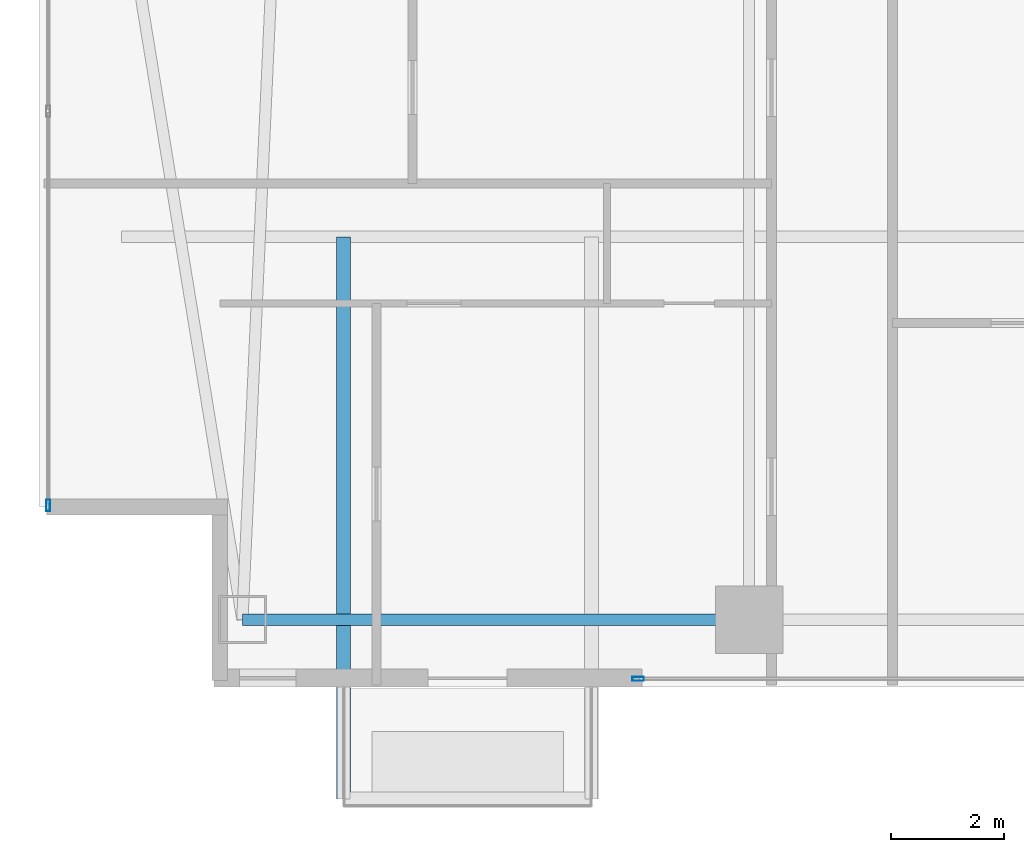
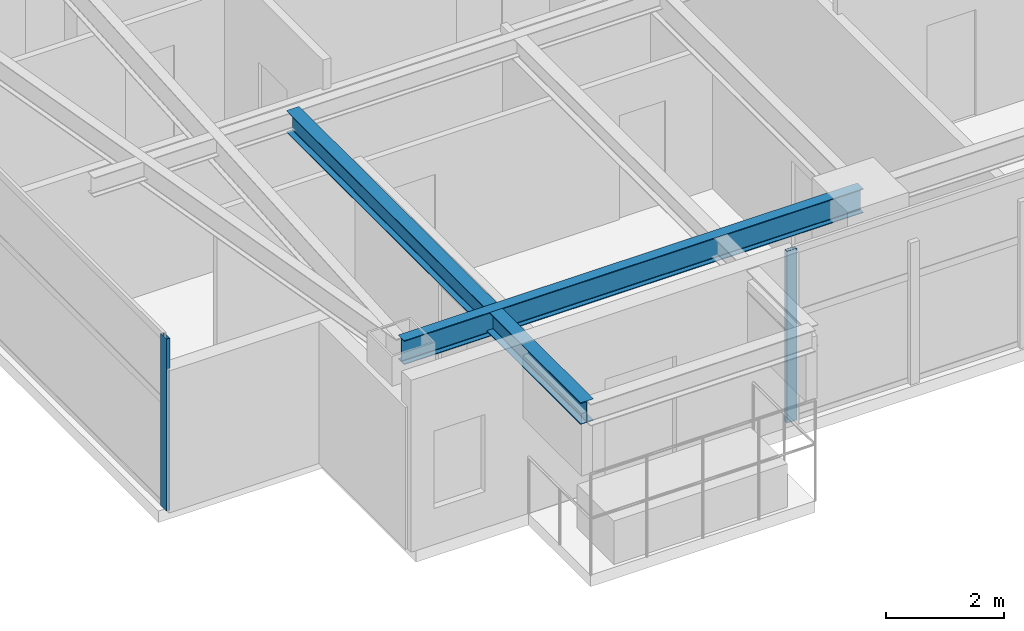
# One storey, part 2 of 29: 2 beams, 2 members, 2 elements without a shape of their own.
"""IFC4 building model written with IfcOpenShell, lengths in metres."""

import ifcopenshell
import ifcopenshell.guid

model = None  # the IFC model being written
_history = None  # IfcOwnerHistory: only IFC2X3 demands one
_inside = {}  # id of a spatial element -> (the spatial element, [elements in it])
_under = {}  # id of a project, library or spatial element -> (it, [spatial elements below it])
_declared = {}  # id of a project -> (the project, [libraries it declares])
_typed = {}  # id of a type object -> (the type object, [elements of that type])
_made_of = {}  # id of a material, layer set ... -> (it, [elements and type objects made of it])


def new_model(schema):
    """Start an empty IFC model of exactly this schema.

    Asked for "IFC4X3", IfcOpenShell would pick the latest addendum, in which some entities
    have other attributes; the version numbers below select the first issue.
    IFC2X3 requires an IfcOwnerHistory on every rooted entity: one is made here for all.
    """
    global model, _history
    if schema == "IFC4X3":
        model = ifcopenshell.file(schema_version=(4, 3, 0, 0))
    else:
        model = ifcopenshell.file(schema=schema)
    _inside.clear()
    _under.clear()
    _declared.clear()
    _typed.clear()
    _made_of.clear()
    _history = None
    if model.schema == "IFC2X3":
        org = make("IfcOrganization", Name="unknown")
        user = make(
            "IfcPersonAndOrganization",
            ThePerson=make("IfcPerson", FamilyName="unknown"),
            TheOrganization=org,
        )
        app = make(
            "IfcApplication",
            ApplicationDeveloper=org,
            Version="unknown",
            ApplicationFullName="unknown",
            ApplicationIdentifier="unknown",
        )
        _history = make(
            "IfcOwnerHistory",
            OwningUser=user,
            OwningApplication=app,
            ChangeAction="ADDED",
            CreationDate=0,
        )
    return model


def make(cls, **values):
    """One entity of the class cls with the attributes given. An attribute that is None is left unset."""
    return model.create_entity(
        cls, **{name: value for name, value in values.items() if value is not None}
    )


def rooted(cls, **values):
    """An entity with a GlobalId (a new one), such as an element, a storey or a relation."""
    return make(cls, GlobalId=ifcopenshell.guid.new(), OwnerHistory=_history, **values)


def si_unit(unit_type, name, prefix=None):
    """IfcSIUnit, for example si_unit("LENGTHUNIT", "METRE", prefix="MILLI")."""
    return make("IfcSIUnit", UnitType=unit_type, Prefix=prefix, Name=name)


def assignment(units):
    """IfcUnitAssignment: the units of a project."""
    return None if units is None else make("IfcUnitAssignment", Units=units)


def point(xyz):
    """IfcCartesianPoint."""
    return None if xyz is None else make("IfcCartesianPoint", Coordinates=xyz)


def direction(xyz):
    """IfcDirection."""
    return None if xyz is None else make("IfcDirection", DirectionRatios=xyz)


def frame(location, z_axis=None, x_axis=None):
    """IfcAxis2Placement3D, a coordinate frame: its origin and axes. An axis left out is left unset."""
    return make(
        "IfcAxis2Placement3D",
        Location=point(location),
        Axis=direction(z_axis),
        RefDirection=direction(x_axis),
    )


def frame_2d(location, x_axis=None):
    """IfcAxis2Placement2D, a coordinate frame in the plane: its origin and x axis."""
    return make(
        "IfcAxis2Placement2D", Location=point(location), RefDirection=direction(x_axis)
    )


def origin():
    """The frame at (0, 0, 0) with its axes left unset."""
    return frame((0.0, 0.0, 0.0))


def origin_2d():
    """The frame at (0, 0) in the plane with its x axis left unset."""
    return frame_2d((0.0, 0.0))


def place(relative_to, where):
    """IfcLocalPlacement: puts the frame where relative to a parent placement (None: the world)."""
    return make(
        "IfcLocalPlacement", PlacementRelTo=relative_to, RelativePlacement=where
    )


def context(
    kind, dimensions, precision=None, world=None, true_north=None, identifier=None
):
    """IfcGeometricRepresentationContext, for example the 3D "Model" context."""
    return make(
        "IfcGeometricRepresentationContext",
        ContextIdentifier=identifier,
        ContextType=kind,
        CoordinateSpaceDimension=dimensions,
        Precision=precision,
        WorldCoordinateSystem=world,
        TrueNorth=true_north,
    )


def subcontext(parent, identifier, kind, view, scale=None):
    """IfcGeometricRepresentationSubContext, for example "Body" below "Model"."""
    return make(
        "IfcGeometricRepresentationSubContext",
        ContextIdentifier=identifier,
        ContextType=kind,
        ParentContext=parent,
        TargetScale=scale,
        TargetView=view,
    )


def project(units=None, contexts=None):
    """IfcProject with its units and contexts."""
    return rooted(
        "IfcProject",
        Name="project",
        RepresentationContexts=contexts,
        UnitsInContext=assignment(units),
    )


def spatial(cls, under=None, at=None, **own):
    """A site, building, storey or space (cls), placed at a placement, below another one or the project."""
    s = rooted(cls, ObjectPlacement=at, **own)
    if under is not None:
        _under.setdefault(under.id(), (under, []))[1].append(s)
    return s


def profile(cls, at=None, kind="AREA", **sizes):
    """A parametric profile (cls). Its sizes go by their IFC names, for example OverallWidth=200.0."""
    return make(cls, ProfileType=kind, Position=at, **sizes)


def hollow_rectangle(**sizes):
    """IfcRectangleHollowProfileDef."""
    return profile("IfcRectangleHollowProfileDef", **sizes)


def i_section(**sizes):
    """IfcIShapeProfileDef."""
    return profile("IfcIShapeProfileDef", **sizes)


def extrude(swept, where, along, depth):
    """IfcExtrudedAreaSolid: the profile swept, set in the frame where, extruded along a direction by depth."""
    return make(
        "IfcExtrudedAreaSolid",
        SweptArea=swept,
        Position=where,
        ExtrudedDirection=direction(along),
        Depth=depth,
    )


def shape(context_of_items, identifier, shape_type, items):
    """IfcShapeRepresentation: the items that make up one representation, for example the "Body"."""
    return make(
        "IfcShapeRepresentation",
        ContextOfItems=context_of_items,
        RepresentationIdentifier=identifier,
        RepresentationType=shape_type,
        Items=items,
    )


def material(Name=None, Category=None):
    """IfcMaterial."""
    return make("IfcMaterial", Name=Name, Category=Category)


def layer(
    of_material, thickness, ventilated=None, Name=None, Category=None, Priority=None
):
    """IfcMaterialLayer: one layer of a wall or slab, of a material (None: an air gap)."""
    return make(
        "IfcMaterialLayer",
        Material=of_material,
        LayerThickness=thickness,
        IsVentilated=ventilated,
        Name=Name,
        Category=Category,
        Priority=Priority,
    )


def layer_set(layers, Name=None):
    """IfcMaterialLayerSet."""
    return make("IfcMaterialLayerSet", MaterialLayers=layers, LayerSetName=Name)


def material_profile(
    of_material, cross_section, Name=None, Category=None, Priority=None
):
    """IfcMaterialProfile: a cross section and its material."""
    return make(
        "IfcMaterialProfile",
        Name=Name,
        Material=of_material,
        Profile=cross_section,
        Priority=Priority,
        Category=Category,
    )


def profile_set(profiles, Name=None, composite=None):
    """IfcMaterialProfileSet."""
    return make(
        "IfcMaterialProfileSet",
        Name=Name,
        MaterialProfiles=profiles,
        CompositeProfile=composite,
    )


def made_of(thing, what):
    """Note that an element or type object is made of a material, layer set ...; save() writes the relation."""
    if what is not None:
        _made_of.setdefault(what.id(), (what, []))[1].append(thing)
    return thing


def type_object(cls, material=None, **own):
    """A type object (cls), such as IfcWallType, which elements share."""
    return made_of(rooted(cls, **own), material)


def element(
    cls,
    number,
    at=None,
    inside=None,
    cuts=None,
    type_object=None,
    material=None,
    context=None,
    identifier="Body",
    shape_type=None,
    held_by="IfcProductDefinitionShape",
    body=None,
    shapes=None,
    **own,
):
    """One element of the class cls, such as IfcWall. Its Tag is "e" and its number.

    at: its placement. inside: the storey or other place that contains it. cuts: it is an
    opening in that element (IfcRelVoidsElement). A single representation is given by context,
    identifier, shape_type and body (its items); several are given by shapes. held_by: the class
    of the entity that holds the representations. save() writes the other relations.
    """
    e = rooted(cls, Tag="e%d" % number, ObjectPlacement=at, **own)
    if body is not None:
        shapes = [shape(context, identifier, shape_type, body)]
    if shapes is not None:
        e.Representation = make(held_by, Representations=shapes)
    if inside is not None:
        _inside.setdefault(inside.id(), (inside, []))[1].append(e)
    if cuts is not None:
        rooted(
            "IfcRelVoidsElement", RelatingBuildingElement=cuts, RelatedOpeningElement=e
        )
    if type_object is not None:
        _typed.setdefault(type_object.id(), (type_object, []))[1].append(e)
    return made_of(e, material)


def aggregate(whole, parts):
    """IfcRelAggregates: a whole, such as a stair, and the parts it consists of."""
    return rooted("IfcRelAggregates", RelatingObject=whole, RelatedObjects=parts)


def save(model, path):
    """Write the relations noted so far, then the file.

    IfcRelAggregates (storeys below a building ...), IfcRelContainedInSpatialStructure (elements
    in a storey), IfcRelDefinesByType, IfcRelAssociatesMaterial and IfcRelDeclares: one each for
    every whole, place, type object, material and project.
    """
    for whole, parts in _under.values():
        aggregate(whole, parts)
    for where, things in _inside.values():
        rooted(
            "IfcRelContainedInSpatialStructure",
            RelatedElements=things,
            RelatingStructure=where,
        )
    for kind, things in _typed.values():
        rooted("IfcRelDefinesByType", RelatedObjects=things, RelatingType=kind)
    for what, things in _made_of.values():
        rooted("IfcRelAssociatesMaterial", RelatedObjects=things, RelatingMaterial=what)
    for by, libraries in _declared.values():
        rooted("IfcRelDeclares", RelatingContext=by, RelatedDefinitions=libraries)
    model.write(path)


model = new_model("IFC4")

# Units and contexts
model_context = context("Model", 3, precision=1e-05, world=origin(), true_north=direction((0.0, 1.0)))
body_context = subcontext(model_context, "Body", "Model", "MODEL_VIEW")
ifc_project = project(units=[si_unit("LENGTHUNIT", "METRE"), si_unit("AREAUNIT", "SQUARE_METRE"), si_unit("VOLUMEUNIT", "CUBIC_METRE"), si_unit("PLANEANGLEUNIT", "RADIAN"), si_unit("MASSUNIT", "GRAM", prefix="KILO")], contexts=[model_context])

# Site, building, storey
site_placement = place(None, origin())
site = spatial("IfcSite", under=ifc_project, at=site_placement, CompositionType="ELEMENT")
building_placement = place(site_placement, origin())
building = spatial("IfcBuilding", under=site, at=building_placement, Name="Calvorn Quay Hotel", CompositionType="ELEMENT")
storey_placement = place(building_placement, frame((0.0, 0.0, 167.5)))
storey = spatial("IfcBuildingStorey", under=building, at=storey_placement, Name="L41", CompositionType="ELEMENT", Elevation=167.5)

# Beams
ifc_material_1 = material(Name="Steel Q355B", Category="steel")
ifc_material_profile_1 = material_profile(ifc_material_1, i_section(OverallWidth=0.25, OverallDepth=0.449951171875, WebThickness=0.011962890625, FlangeThickness=0.01611328125, FilletRadius=0.01611328125, at=origin_2d()), Name="HN450x250x12x16")
ifc_profile_set_1 = profile_set([ifc_material_profile_1], Name="Steel Q355B")
beam_type_1 = type_object("IfcBeamType", Name="BM-CANT-BALC", PredefinedType="BEAM", material=ifc_profile_set_1)
beam_1_placement = place(storey_placement, frame((5.39990234375, 10.39990234375, 3.31494140625), z_axis=(0.0, -1.0, 0.0), x_axis=(1.0, 0.0, 0.0)))
element("IfcBeam", 1, at=beam_1_placement, inside=storey, type_object=beam_type_1, Name="Cantilever Balcony Beam BCB-L42-2A", PredefinedType="BEAM", context=body_context, shape_type="SweptSolid", body=[
    extrude(i_section(OverallWidth=0.25, OverallDepth=0.449951171875, WebThickness=0.011962890625, FlangeThickness=0.01611328125, FilletRadius=0.01611328125, at=origin_2d()), origin(), (0.0, 0.0, 1.0), 9.989990234375),
])
ifc_material_2 = material(Name="Steel Q355B", Category="steel")
ifc_material_profile_2 = material_profile(ifc_material_2, i_section(OverallWidth=0.199951171875, OverallDepth=0.5, WebThickness=0.010009765625, FlangeThickness=0.01611328125, FilletRadius=0.01611328125, at=origin_2d()), Name="HN500x200x10x16")
ifc_profile_set_2 = profile_set([ifc_material_profile_2], Name="Steel Q355B")
beam_type_2 = type_object("IfcBeamType", Name="BM-SPANDREL-Z1", PredefinedType="SPANDREL", material=ifc_profile_set_2)
beam_2_placement = place(storey_placement, frame((3.60009765625, 3.60009765625, 3.2900390625), z_axis=(1.0, 0.0, 0.0), x_axis=(0.0, 1.0, 0.0)))
element("IfcBeam", 2, at=beam_2_placement, inside=storey, type_object=beam_type_2, Name="Beam BSP-L41-S1", PredefinedType="SPANDREL", context=body_context, shape_type="SweptSolid", body=[
    extrude(i_section(OverallWidth=0.199951171875, OverallDepth=0.5, WebThickness=0.010009765625, FlangeThickness=0.01611328125, FilletRadius=0.01611328125, at=origin_2d()), origin(), (0.0, 0.0, 1.0), 9.0),
])

# Curtain wall, member
ifc_material_3 = material(Name="Pale Anodised Aluminium and Low-E Glass", Category="aluminium")
ifc_layer = layer(ifc_material_3, 0.219970703125)
ifc_layer_set = layer_set([ifc_layer], Name="CW-SYS-Z2")
curtain_wall_type = type_object("IfcCurtainWallType", Name="CW-SYS-Z2", PredefinedType="NOTDEFINED", material=ifc_layer_set)
curtain_wall_1_placement = place(storey_placement, origin())
curtain_wall_1 = element("IfcCurtainWall", 3, at=curtain_wall_1_placement, inside=storey, type_object=curtain_wall_type, Name="Tower West Curtain Wall (L41)", PredefinedType="NOTDEFINED")
ifc_material_4 = material(Name="Pale Anodised Aluminium 6063-T6", Category="aluminium")
ifc_material_profile_3 = material_profile(ifc_material_4, hollow_rectangle(XDim=0.070068359375, YDim=0.199951171875, WallThickness=0.00390625, at=origin_2d()), Name="ALU-M200x70x4")
ifc_profile_set_3 = profile_set([ifc_material_profile_3], Name="Pale Anodised Aluminium 6063-T6")
member_type = type_object("IfcMemberType", Name="CW-SYS-Z2-MUL", PredefinedType="MULLION", material=ifc_profile_set_3)
member_1_placement = place(storey_placement, frame((0.14990234375, 5.6298828125, 0.0), z_axis=(0.0, 0.0, 1.0), x_axis=(-1.0, 0.0, 0.0)))
member_1 = element("IfcMember", 4, at=member_1_placement, type_object=member_type, Name="CW-L41-W mullion 1", PredefinedType="MULLION", context=body_context, shape_type="SweptSolid", body=[
    extrude(hollow_rectangle(XDim=0.070068359375, YDim=0.199951171875, WallThickness=0.00390625, at=origin_2d()), origin(), (0.0, 0.0, 1.0), 3.56005859375),
])
aggregate(curtain_wall_1, [member_1])

curtain_wall_2_placement = place(storey_placement, origin())
curtain_wall_2 = element("IfcCurtainWall", 5, at=curtain_wall_2_placement, inside=storey, type_object=curtain_wall_type, Name="Tower South Waterfront Curtain Wall (L41)", PredefinedType="NOTDEFINED")
member_2_placement = place(storey_placement, frame((10.6298828125, 2.550048828125, 0.0), z_axis=(0.0, 0.0, 1.0), x_axis=(0.0, 1.0, 0.0)))
member_2 = element("IfcMember", 6, at=member_2_placement, type_object=member_type, Name="CW-L41-S mullion 1", PredefinedType="MULLION", context=body_context, shape_type="SweptSolid", body=[
    extrude(hollow_rectangle(XDim=0.070068359375, YDim=0.199951171875, WallThickness=0.00390625, at=origin_2d()), origin(), (0.0, 0.0, 1.0), 3.56005859375),
])
aggregate(curtain_wall_2, [member_2])

save(model, "model.ifc")
